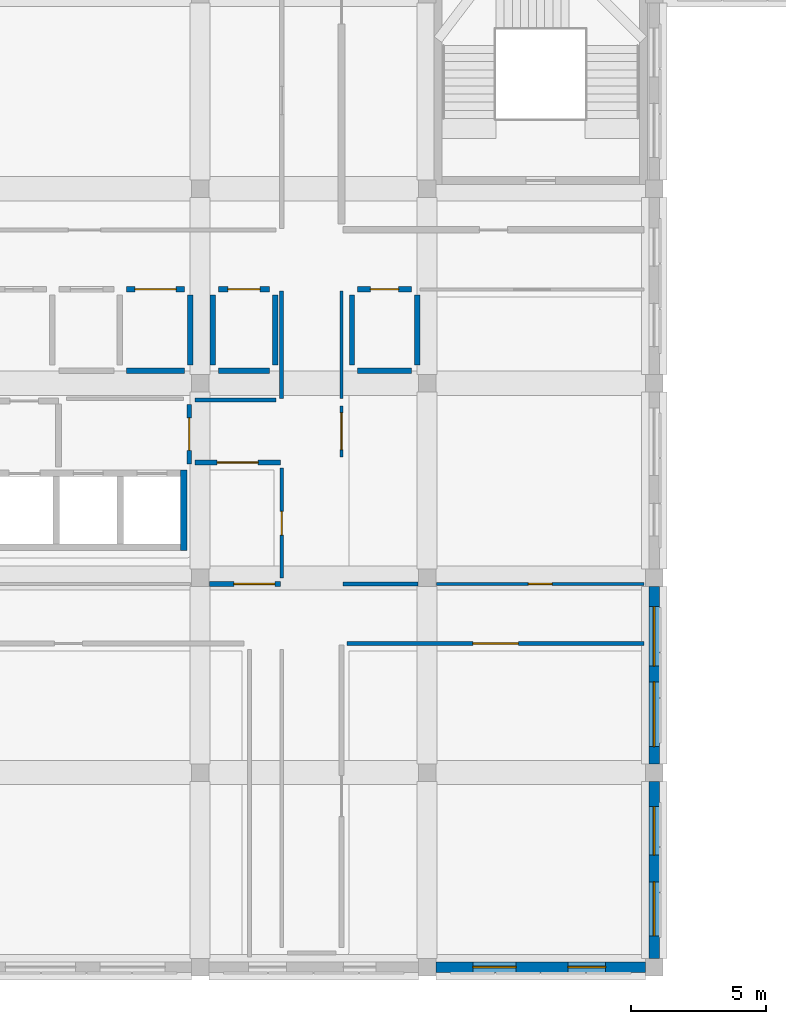
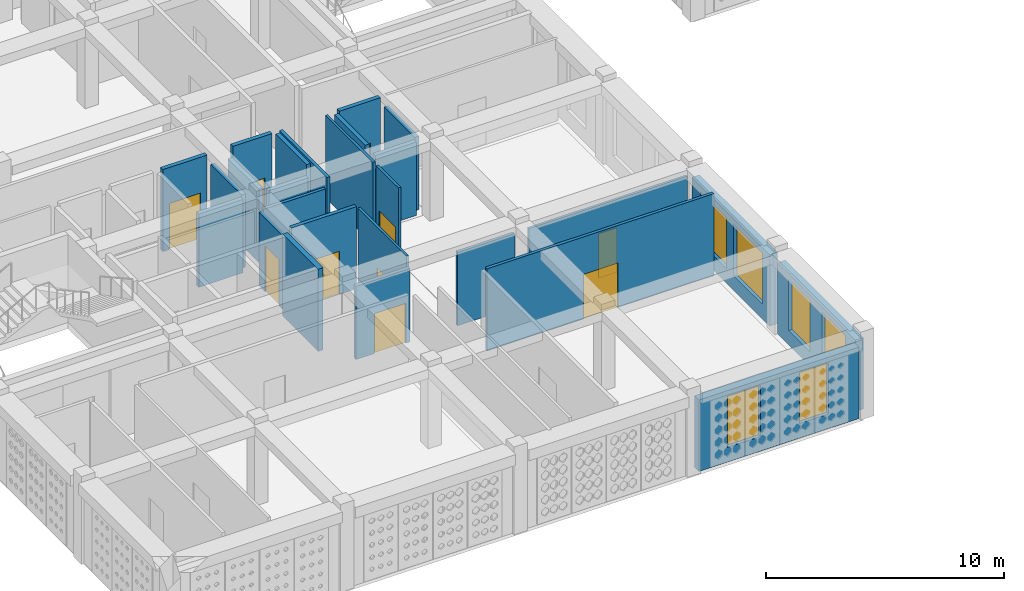
# One storey, part 6 of 47: 26 walls, 10 doors, 6 windows, 16 openings.
"""IFC4 building model written with IfcOpenShell, lengths in metres."""

from ifc_helpers import new_model, si_unit, derived_unit, direction, frame, frame_2d, origin, place, context, subcontext, project, spatial, rectangle, extrude, material, layer, layer_set, type_object, element, fill, save


model = new_model("IFC4")

# Units and contexts
model_context = context("Model", 3, precision=1e-05, world=origin(), true_north=direction((0.0, 1.0)))
body_context = subcontext(model_context, "Body", "Model", "MODEL_VIEW")
ifc_project = project(units=[si_unit("LENGTHUNIT", "METRE"), si_unit("AREAUNIT", "SQUARE_METRE"), si_unit("VOLUMEUNIT", "CUBIC_METRE"), si_unit("PLANEANGLEUNIT", "RADIAN"), si_unit("MASSUNIT", "GRAM", prefix="KILO"), derived_unit("THERMALTRANSMITTANCEUNIT", [(si_unit("POWERUNIT", "WATT"), 1), (si_unit("LENGTHUNIT", "METRE"), -2), (si_unit("THERMODYNAMICTEMPERATUREUNIT", "KELVIN"), -1)])], contexts=[model_context])

# Site, building, storey
site_placement = place(None, origin())
site = spatial("IfcSite", under=ifc_project, at=site_placement, CompositionType="ELEMENT")
building_placement = place(site_placement, origin())
building = spatial("IfcBuilding", under=site, at=building_placement, Name="Veybourne Emporium", CompositionType="ELEMENT")
storey_placement = place(building_placement, frame((0.0, 0.0, 23.39990234375)))
storey = spatial("IfcBuildingStorey", under=building, at=storey_placement, Name="L05", CompositionType="ELEMENT", Elevation=23.39990234375)

# Wall, openings, windows
ifc_material_1 = material(Name="Portland Limestone Ashlar", Category="masonry")
ifc_layer_1 = layer(ifc_material_1, 0.3798828125)
ifc_layer_set_1 = layer_set([ifc_layer_1], Name="Portland Limestone Ashlar")
wall_type_1 = type_object("IfcWallType", Name="ExtWall_EW-03", PredefinedType="SOLIDWALL", material=ifc_layer_set_1)
wall_1_placement = place(storey_placement, frame((50.074951171875, 0.0, 0.0), z_axis=(0.0, 0.0, 1.0), x_axis=(-1.0, 0.0, 0.0)))
wall_1 = element("IfcWall", 1, at=wall_1_placement, inside=storey, type_object=wall_type_1, Name="L05 Portland stone external wall 026", PredefinedType="SOLIDWALL", context=body_context, shape_type="SweptSolid", body=[
    extrude(rectangle(XDim=7.75, YDim=0.3798828125, at=frame_2d((3.875, 0.0))), origin(), (0.0, 0.0, 1.0), 3.66015625),
])
opening_1_placement = place(wall_1_placement, frame((1.469970703125, 0.0, 0.75)))
opening_1 = element("IfcOpeningElement", 2, at=opening_1_placement, cuts=wall_1, Name="Opening W-34", PredefinedType="OPENING", context=body_context, shape_type="SweptSolid", body=[
    extrude(rectangle(XDim=1.39990234375, YDim=2.6201171875, at=frame_2d((0.699951171875, 1.31005859375))), frame((0.0, 0.2099609375, 0.0), z_axis=(0.0, -1.0, 0.0), x_axis=(1.0, 0.0, 0.0)), (0.0, 0.0, 1.0), 0.419921875),
])
opening_2_placement = place(wall_1_placement, frame((4.780029296875, 0.0, 0.75)))
opening_2 = element("IfcOpeningElement", 3, at=opening_2_placement, cuts=wall_1, Name="Opening W-35", PredefinedType="OPENING", context=body_context, shape_type="SweptSolid", body=[
    extrude(rectangle(XDim=1.60009765625, YDim=2.6201171875, at=frame_2d((0.800048828125, 1.31005859375))), frame((0.0, 0.2099609375, 0.0), z_axis=(0.0, -1.0, 0.0), x_axis=(1.0, 0.0, 0.0)), (0.0, 0.0, 1.0), 0.419921875),
])
ifc_material_2 = material(Name="Low-E Triple Glazing", Category="glass")
window_type_1 = type_object("IfcWindowType", Name="Win_W-34", PartitioningType="DOUBLE_PANEL_VERTICAL", PredefinedType="WINDOW", material=ifc_material_2)
window_1_placement = place(opening_1_placement, origin())
window_1 = element("IfcWindow", 4, at=window_1_placement, inside=storey, type_object=window_type_1, Name="L05 tripartite bronze casement window W-34 (26.1)", OverallHeight=2.6201171875, OverallWidth=1.39990234375, PartitioningType="DOUBLE_PANEL_VERTICAL", PredefinedType="WINDOW", context=body_context, shape_type="SweptSolid", body=[
    extrude(rectangle(XDim=1.39990234375, YDim=2.6201171875, at=frame_2d((0.699951171875, 1.31005859375))), frame((0.0, 0.030029296875, 0.0), z_axis=(0.0, -1.0, 0.0), x_axis=(1.0, 0.0, 0.0)), (0.0, 0.0, 1.0), 0.06005859375),
])
fill(opening_1, window_1)
window_type_2 = type_object("IfcWindowType", Name="Win_W-35", PartitioningType="DOUBLE_PANEL_VERTICAL", PredefinedType="WINDOW", material=ifc_material_2)
window_2_placement = place(opening_2_placement, origin())
window_2 = element("IfcWindow", 5, at=window_2_placement, inside=storey, type_object=window_type_2, Name="L05 tripartite bronze casement window W-35 (26.2)", OverallHeight=2.6201171875, OverallWidth=1.60009765625, PartitioningType="DOUBLE_PANEL_VERTICAL", PredefinedType="WINDOW", context=body_context, shape_type="SweptSolid", body=[
    extrude(rectangle(XDim=1.60009765625, YDim=2.6201171875, at=frame_2d((0.800048828125, 1.31005859375))), frame((0.0, 0.030029296875, 0.0), z_axis=(0.0, -1.0, 0.0), x_axis=(1.0, 0.0, 0.0)), (0.0, 0.0, 1.0), 0.06005859375),
])
fill(opening_2, window_2)

wall_2_placement = place(storey_placement, frame((50.39990234375, 6.875, 0.0), z_axis=(0.0, 0.0, 1.0), x_axis=(0.0, -1.0, 0.0)))
wall_2 = element("IfcWall", 6, at=wall_2_placement, inside=storey, type_object=wall_type_1, Name="L05 Portland stone external wall 027", PredefinedType="SOLIDWALL", context=body_context, shape_type="SweptSolid", body=[
    extrude(rectangle(XDim=6.550048828125, YDim=0.3798828125, at=frame_2d((3.27490234375, 0.0))), origin(), (0.0, 0.0, 1.0), 3.66015625),
])
opening_3_placement = place(wall_2_placement, frame((0.93408203125, 0.0, 0.75)))
opening_3 = element("IfcOpeningElement", 7, at=opening_3_placement, cuts=wall_2, Name="Opening W-36", PredefinedType="OPENING", context=body_context, shape_type="SweptSolid", body=[
    extrude(rectangle(XDim=1.800048828125, YDim=2.6201171875, at=frame_2d((0.89990234375, 1.31005859375))), frame((0.0, 0.2099609375, 0.0), z_axis=(0.0, -1.0, 0.0), x_axis=(1.0, 0.0, 0.0)), (0.0, 0.0, 1.0), 0.419921875),
])
opening_4_placement = place(wall_2_placement, frame((3.716064453125, 0.0, 0.75)))
opening_4 = element("IfcOpeningElement", 8, at=opening_4_placement, cuts=wall_2, Name="Opening W-37", PredefinedType="OPENING", context=body_context, shape_type="SweptSolid", body=[
    extrude(rectangle(XDim=2.0, YDim=2.6201171875, at=frame_2d((1.0, 1.31005859375))), frame((0.0, 0.2099609375, 0.0), z_axis=(0.0, -1.0, 0.0), x_axis=(1.0, 0.0, 0.0)), (0.0, 0.0, 1.0), 0.419921875),
])
window_type_3 = type_object("IfcWindowType", Name="Win_W-36", PartitioningType="DOUBLE_PANEL_VERTICAL", PredefinedType="WINDOW", material=ifc_material_2)
window_3_placement = place(opening_3_placement, origin())
window_3 = element("IfcWindow", 9, at=window_3_placement, inside=storey, type_object=window_type_3, Name="L05 tripartite bronze casement window W-36 (27.1)", OverallHeight=2.6201171875, OverallWidth=1.800048828125, PartitioningType="DOUBLE_PANEL_VERTICAL", PredefinedType="WINDOW", context=body_context, shape_type="SweptSolid", body=[
    extrude(rectangle(XDim=1.800048828125, YDim=2.6201171875, at=frame_2d((0.89990234375, 1.31005859375))), frame((0.0, 0.030029296875, 0.0), z_axis=(0.0, -1.0, 0.0), x_axis=(1.0, 0.0, 0.0)), (0.0, 0.0, 1.0), 0.06005859375),
])
fill(opening_3, window_3)
window_type_4 = type_object("IfcWindowType", Name="Win_W-37", PartitioningType="TRIPLE_PANEL_VERTICAL", PredefinedType="WINDOW", material=ifc_material_2)
window_4_placement = place(opening_4_placement, origin())
window_4 = element("IfcWindow", 10, at=window_4_placement, inside=storey, type_object=window_type_4, Name="L05 tripartite bronze casement window W-37 (27.2)", OverallHeight=2.6201171875, OverallWidth=2.0, PartitioningType="TRIPLE_PANEL_VERTICAL", PredefinedType="WINDOW", context=body_context, shape_type="SweptSolid", body=[
    extrude(rectangle(XDim=2.0, YDim=2.6201171875, at=frame_2d((1.0, 1.31005859375))), frame((0.0, 0.030029296875, 0.0), z_axis=(0.0, -1.0, 0.0), x_axis=(1.0, 0.0, 0.0)), (0.0, 0.0, 1.0), 0.06005859375),
])
fill(opening_4, window_4)

wall_3_placement = place(storey_placement, frame((50.39990234375, 14.074951171875, 0.0), z_axis=(0.0, 0.0, 1.0), x_axis=(0.0, -1.0, 0.0)))
wall_3 = element("IfcWall", 11, at=wall_3_placement, inside=storey, type_object=wall_type_1, Name="L05 Portland stone external wall 028", PredefinedType="SOLIDWALL", context=body_context, shape_type="SweptSolid", body=[
    extrude(rectangle(XDim=6.550048828125, YDim=0.3798828125, at=frame_2d((3.27490234375, 0.0))), origin(), (0.0, 0.0, 1.0), 3.66015625),
])
opening_5_placement = place(wall_3_placement, frame((0.73388671875, 0.0, 0.75)))
opening_5 = element("IfcOpeningElement", 12, at=opening_5_placement, cuts=wall_3, Name="Opening W-38", PredefinedType="OPENING", context=body_context, shape_type="SweptSolid", body=[
    extrude(rectangle(XDim=2.199951171875, YDim=2.6201171875, at=frame_2d((1.10009765625, 1.31005859375))), frame((0.0, 0.2099609375, 0.0), z_axis=(0.0, -1.0, 0.0), x_axis=(1.0, 0.0, 0.0)), (0.0, 0.0, 1.0), 0.419921875),
])
opening_6_placement = place(wall_3_placement, frame((3.51611328125, 0.0, 0.75)))
opening_6 = element("IfcOpeningElement", 13, at=opening_6_placement, cuts=wall_3, Name="Opening W-39", PredefinedType="OPENING", context=body_context, shape_type="SweptSolid", body=[
    extrude(rectangle(XDim=2.39990234375, YDim=2.6201171875, at=frame_2d((1.199951171875, 1.31005859375))), frame((0.0, 0.2099609375, 0.0), z_axis=(0.0, -1.0, 0.0), x_axis=(1.0, 0.0, 0.0)), (0.0, 0.0, 1.0), 0.419921875),
])
window_type_5 = type_object("IfcWindowType", Name="Win_W-38", PartitioningType="TRIPLE_PANEL_VERTICAL", PredefinedType="WINDOW", material=ifc_material_2)
window_5_placement = place(opening_5_placement, origin())
window_5 = element("IfcWindow", 14, at=window_5_placement, inside=storey, type_object=window_type_5, Name="L05 tripartite bronze casement window W-38 (28.1)", OverallHeight=2.6201171875, OverallWidth=2.199951171875, PartitioningType="TRIPLE_PANEL_VERTICAL", PredefinedType="WINDOW", context=body_context, shape_type="SweptSolid", body=[
    extrude(rectangle(XDim=2.199951171875, YDim=2.6201171875, at=frame_2d((1.10009765625, 1.31005859375))), frame((0.0, 0.030029296875, 0.0), z_axis=(0.0, -1.0, 0.0), x_axis=(1.0, 0.0, 0.0)), (0.0, 0.0, 1.0), 0.06005859375),
])
fill(opening_5, window_5)
window_type_6 = type_object("IfcWindowType", Name="Win_W-39", PartitioningType="TRIPLE_PANEL_VERTICAL", PredefinedType="WINDOW", material=ifc_material_2)
window_6_placement = place(opening_6_placement, origin())
window_6 = element("IfcWindow", 15, at=window_6_placement, inside=storey, type_object=window_type_6, Name="L05 tripartite bronze casement window W-39 (28.2)", OverallHeight=2.6201171875, OverallWidth=2.39990234375, PartitioningType="TRIPLE_PANEL_VERTICAL", PredefinedType="WINDOW", context=body_context, shape_type="SweptSolid", body=[
    extrude(rectangle(XDim=2.39990234375, YDim=2.6201171875, at=frame_2d((1.199951171875, 1.31005859375))), frame((0.0, 0.030029296875, 0.0), z_axis=(0.0, -1.0, 0.0), x_axis=(1.0, 0.0, 0.0)), (0.0, 0.0, 1.0), 0.06005859375),
])
fill(opening_6, window_6)

# Wall
ifc_material_3 = material(Name="Concrete C40/50", Category="concrete")
ifc_layer_2 = layer(ifc_material_3, 0.239990234375)
ifc_layer_set_2 = layer_set([ifc_layer_2], Name="Concrete C40/50")
wall_type_2 = type_object("IfcWallType", Name="IntWall_CW-04", PredefinedType="SHEAR", material=ifc_layer_set_2)
wall_4_placement = place(storey_placement, frame((33.0, 15.409912109375, 0.0), z_axis=(0.0, 0.0, 1.0), x_axis=(0.0, 1.0, 0.0)))
element("IfcWall", 16, at=wall_4_placement, inside=storey, type_object=wall_type_2, Name="Lift core C1 east shaft wall (L05)", PredefinedType="SHEAR", context=body_context, shape_type="SweptSolid", body=[
    extrude(rectangle(XDim=2.97998046875, YDim=0.239990234375, at=frame_2d((1.489990234375, 0.0))), origin(), (0.0, 0.0, 1.0), 4.210205078125),
])

# Wall, opening, door
ifc_material_4 = material(Name="Gypsum Acoustic Board", Category="gypsum")
ifc_layer_3 = layer(ifc_material_4, 0.179931640625)
ifc_layer_set_3 = layer_set([ifc_layer_3], Name="Gypsum Acoustic Board")
wall_type_3 = type_object("IfcWallType", Name="IntWall_IW-01", PredefinedType="PARTITIONING", material=ifc_layer_set_3)
wall_5_placement = place(storey_placement, frame((33.945068359375, 14.179931640625, 0.0), z_axis=(0.0, 0.0, 1.0), x_axis=(1.0, 0.0, 0.0)))
wall_5 = element("IfcWall", 17, at=wall_5_placement, inside=storey, type_object=wall_type_3, Name="L05 interior partition IW-01 #015", PredefinedType="PARTITIONING", context=body_context, shape_type="SweptSolid", body=[
    extrude(rectangle(XDim=2.625, YDim=0.179931640625, at=frame_2d((1.3125, 0.0))), origin(), (0.0, 0.0, 1.0), 3.760009765625),
])
opening_7_placement = place(wall_5_placement, frame((0.906005859375, 0.0, 0.0)))
opening_7 = element("IfcOpeningElement", 18, at=opening_7_placement, cuts=wall_5, Name="Opening D-05", PredefinedType="OPENING", context=body_context, shape_type="SweptSolid", body=[
    extrude(rectangle(XDim=1.52001953125, YDim=2.050048828125, at=frame_2d((0.760009765625, 1.02490234375))), frame((0.0, 0.10986328125, 0.0), z_axis=(0.0, -1.0, 0.0), x_axis=(1.0, 0.0, 0.0)), (0.0, 0.0, 1.0), 0.219970703125),
])
ifc_material_5 = material(Name="European Oak Veneer and Bronze", Category="wood")
door_type_1 = type_object("IfcDoorType", Name="IntDoor_D-05", OperationType="NOTDEFINED", PredefinedType="DOOR", material=ifc_material_5)
door_1_placement = place(opening_7_placement, origin())
door_1 = element("IfcDoor", 19, at=door_1_placement, inside=storey, type_object=door_type_1, Name="L05 interior door D-05 (PART-L05-015)", OperationType="SINGLE_SWING_LEFT", OverallHeight=2.050048828125, OverallWidth=1.52001953125, PredefinedType="DOOR", context=body_context, shape_type="SweptSolid", body=[
    extrude(rectangle(XDim=1.52001953125, YDim=2.050048828125, at=frame_2d((0.760009765625, 1.02490234375))), frame((0.0, 0.02490234375, 0.0), z_axis=(0.0, -1.0, 0.0), x_axis=(1.0, 0.0, 0.0)), (0.0, 0.0, 1.0), 0.050048828125),
])
fill(opening_7, door_1)

wall_6_placement = place(storey_placement, frame((33.409912109375, 18.669921875, 0.0), z_axis=(0.0, 0.0, 1.0), x_axis=(1.0, 0.0, 0.0)))
wall_6 = element("IfcWall", 20, at=wall_6_placement, inside=storey, type_object=wall_type_3, Name="L05 interior partition IW-01 #063", PredefinedType="PARTITIONING", context=body_context, shape_type="SweptSolid", body=[
    extrude(rectangle(XDim=3.16015625, YDim=0.179931640625, at=frame_2d((1.580078125, 0.0))), origin(), (0.0, 0.0, 1.0), 4.210205078125),
])
opening_8_placement = place(wall_6_placement, frame((0.820068359375, 0.0, 0.0)))
opening_8 = element("IfcOpeningElement", 21, at=opening_8_placement, cuts=wall_6, Name="Opening D-17", PredefinedType="OPENING", context=body_context, shape_type="SweptSolid", body=[
    extrude(rectangle(XDim=1.52001953125, YDim=2.2099609375, at=frame_2d((0.760009765625, 1.10498046875))), frame((0.0, 0.10986328125, 0.0), z_axis=(0.0, -1.0, 0.0), x_axis=(1.0, 0.0, 0.0)), (0.0, 0.0, 1.0), 0.219970703125),
])
door_type_2 = type_object("IfcDoorType", Name="IntDoor_D-17", OperationType="NOTDEFINED", PredefinedType="DOOR", material=ifc_material_5)
door_2_placement = place(opening_8_placement, origin())
door_2 = element("IfcDoor", 22, at=door_2_placement, inside=storey, type_object=door_type_2, Name="L05 interior door D-17 (PART-L05-063)", OperationType="SINGLE_SWING_LEFT", OverallHeight=2.2099609375, OverallWidth=1.52001953125, PredefinedType="DOOR", context=body_context, shape_type="SweptSolid", body=[
    extrude(rectangle(XDim=1.52001953125, YDim=2.2099609375, at=frame_2d((0.760009765625, 1.10498046875))), frame((0.0, 0.02490234375, 0.0), z_axis=(0.0, -1.0, 0.0), x_axis=(1.0, 0.0, 0.0)), (0.0, 0.0, 1.0), 0.050048828125),
])
fill(opening_8, door_2)

# Wall
ifc_layer_4 = layer(ifc_material_4, 0.14990234375)
ifc_layer_set_4 = layer_set([ifc_layer_4], Name="Gypsum Acoustic Board")
wall_type_4 = type_object("IfcWallType", Name="IntWall_IW-02", PredefinedType="PARTITIONING", material=ifc_layer_set_4)
wall_7_placement = place(storey_placement, frame((38.8798828125, 14.179931640625, 0.0), z_axis=(0.0, 0.0, 1.0), x_axis=(1.0, 0.0, 0.0)))
element("IfcWall", 23, at=wall_7_placement, inside=storey, type_object=wall_type_4, Name="L05 interior partition IW-02 #028", PredefinedType="PARTITIONING", context=body_context, shape_type="SweptSolid", body=[
    extrude(rectangle(XDim=2.775146484375, YDim=0.14990234375, at=frame_2d((1.3876953125, 0.0))), origin(), (0.0, 0.0, 1.0), 3.760009765625),
])

# Wall, opening, door
wall_8_placement = place(storey_placement, frame((39.0400390625, 11.969970703125, 0.0), z_axis=(0.0, 0.0, 1.0), x_axis=(1.0, 0.0, 0.0)))
wall_8 = element("IfcWall", 24, at=wall_8_placement, inside=storey, type_object=wall_type_4, Name="L05 interior partition IW-02 #034", PredefinedType="PARTITIONING", context=body_context, shape_type="SweptSolid", body=[
    extrude(rectangle(XDim=10.989990234375, YDim=0.14990234375, at=frame_2d((5.4951171875, 0.0))), origin(), (0.0, 0.0, 1.0), 4.210205078125),
])
opening_9_placement = place(wall_8_placement, frame((4.655029296875, 0.0, 0.0)))
opening_9 = element("IfcOpeningElement", 25, at=opening_9_placement, cuts=wall_8, Name="Opening D-24", PredefinedType="OPENING", context=body_context, shape_type="SweptSolid", body=[
    extrude(rectangle(XDim=1.679931640625, YDim=2.2900390625, at=frame_2d((0.83984375, 1.14501953125))), frame((0.0, 0.094970703125, 0.0), z_axis=(0.0, -1.0, 0.0), x_axis=(1.0, 0.0, 0.0)), (0.0, 0.0, 1.0), 0.18994140625),
])
door_type_3 = type_object("IfcDoorType", Name="IntDoor_D-24", OperationType="DOUBLE_DOOR_SINGLE_SWING", PredefinedType="DOOR", material=ifc_material_5)
door_3_placement = place(opening_9_placement, origin())
door_3 = element("IfcDoor", 26, at=door_3_placement, inside=storey, type_object=door_type_3, Name="L05 interior door D-24 (PART-L05-034)", OperationType="DOUBLE_DOOR_SINGLE_SWING", OverallHeight=2.2900390625, OverallWidth=1.679931640625, PredefinedType="DOOR", context=body_context, shape_type="SweptSolid", body=[
    extrude(rectangle(XDim=1.679931640625, YDim=2.2900390625, at=frame_2d((0.83984375, 1.14501953125))), frame((0.0, 0.02490234375, 0.0), z_axis=(0.0, -1.0, 0.0), x_axis=(1.0, 0.0, 0.0)), (0.0, 0.0, 1.0), 0.050048828125),
])
fill(opening_9, door_3)

# Walls
wall_9_placement = place(storey_placement, frame((36.6201171875, 21.030029296875, 0.0), z_axis=(0.0, 0.0, 1.0), x_axis=(0.0, 1.0, 0.0)))
element("IfcWall", 27, at=wall_9_placement, inside=storey, type_object=wall_type_4, Name="L05 interior partition IW-02 #055", PredefinedType="PARTITIONING", context=body_context, shape_type="SweptSolid", body=[
    extrude(rectangle(XDim=3.989990234375, YDim=0.14990234375, at=frame_2d((1.9951171875, 0.0))), origin(), (0.0, 0.0, 1.0), 4.210205078125),
])
wall_10_placement = place(storey_placement, frame((33.409912109375, 20.97998046875, 0.0), z_axis=(0.0, 0.0, 1.0), x_axis=(1.0, 0.0, 0.0)))
element("IfcWall", 28, at=wall_10_placement, inside=storey, type_object=wall_type_4, Name="L05 interior partition IW-02 #064", PredefinedType="PARTITIONING", context=body_context, shape_type="SweptSolid", body=[
    extrude(rectangle(XDim=3.0, YDim=0.14990234375, at=frame_2d((1.5, 0.0))), origin(), (0.0, 0.0, 1.0), 3.760009765625),
])

# Wall, opening, door
wall_11_placement = place(storey_placement, frame((33.199951171875, 18.6201171875, 0.0), z_axis=(0.0, 0.0, 1.0), x_axis=(0.0, 1.0, 0.0)))
wall_11 = element("IfcWall", 29, at=wall_11_placement, inside=storey, type_object=wall_type_4, Name="L05 interior partition IW-02 #073", PredefinedType="PARTITIONING", context=body_context, shape_type="SweptSolid", body=[
    extrude(rectangle(XDim=2.199951171875, YDim=0.14990234375, at=frame_2d((1.10009765625, 0.0))), origin(), (0.0, 0.0, 1.0), 3.760009765625),
])
opening_10_placement = place(wall_11_placement, frame((0.5, 0.0, 0.0)))
opening_10 = element("IfcOpeningElement", 30, at=opening_10_placement, cuts=wall_11, Name="Opening D-27", PredefinedType="OPENING", context=body_context, shape_type="SweptSolid", body=[
    extrude(rectangle(XDim=1.199951171875, YDim=2.3701171875, at=frame_2d((0.60009765625, 1.18505859375))), frame((0.0, 0.094970703125, 0.0), z_axis=(0.0, -1.0, 0.0), x_axis=(1.0, 0.0, 0.0)), (0.0, 0.0, 1.0), 0.18994140625),
])
door_type_4 = type_object("IfcDoorType", Name="IntDoor_D-27", OperationType="NOTDEFINED", PredefinedType="DOOR", material=ifc_material_5)
door_4_placement = place(opening_10_placement, origin())
door_4 = element("IfcDoor", 31, at=door_4_placement, inside=storey, type_object=door_type_4, Name="L05 interior door D-27 (PART-L05-073)", OperationType="SINGLE_SWING_LEFT", OverallHeight=2.3701171875, OverallWidth=1.199951171875, PredefinedType="DOOR", context=body_context, shape_type="SweptSolid", body=[
    extrude(rectangle(XDim=1.199951171875, YDim=2.3701171875, at=frame_2d((0.60009765625, 1.18505859375))), frame((0.0, 0.02490234375, 0.0), z_axis=(0.0, -1.0, 0.0), x_axis=(1.0, 0.0, 0.0)), (0.0, 0.0, 1.0), 0.050048828125),
])
fill(opening_10, door_4)

ifc_layer_5 = layer(ifc_material_4, 0.1201171875)
ifc_layer_set_5 = layer_set([ifc_layer_5], Name="Gypsum Acoustic Board")
wall_type_5 = type_object("IfcWallType", Name="IntWall_IW-03", PredefinedType="PARTITIONING", material=ifc_layer_set_5)
wall_12_placement = place(storey_placement, frame((42.344970703125, 14.179931640625, 0.0), z_axis=(0.0, 0.0, 1.0), x_axis=(1.0, 0.0, 0.0)))
wall_12 = element("IfcWall", 32, at=wall_12_placement, inside=storey, type_object=wall_type_5, Name="L05 interior partition IW-03 #029", PredefinedType="PARTITIONING", context=body_context, shape_type="SweptSolid", body=[
    extrude(rectangle(XDim=7.68505859375, YDim=0.1201171875, at=frame_2d((3.842529296875, 0.0))), origin(), (0.0, 0.0, 1.0), 3.760009765625),
])
opening_11_placement = place(wall_12_placement, frame((3.402587890625, 0.0, 0.0)))
opening_11 = element("IfcOpeningElement", 33, at=opening_11_placement, cuts=wall_12, Name="Opening D-19", PredefinedType="OPENING", context=body_context, shape_type="SweptSolid", body=[
    extrude(rectangle(XDim=0.8798828125, YDim=2.2900390625, at=frame_2d((0.43994140625, 1.14501953125))), frame((0.0, 0.080078125, 0.0), z_axis=(0.0, -1.0, 0.0), x_axis=(1.0, 0.0, 0.0)), (0.0, 0.0, 1.0), 0.16015625),
])
door_type_5 = type_object("IfcDoorType", Name="IntDoor_D-19", OperationType="NOTDEFINED", PredefinedType="DOOR", material=ifc_material_5)
door_5_placement = place(opening_11_placement, origin())
door_5 = element("IfcDoor", 34, at=door_5_placement, inside=storey, type_object=door_type_5, Name="L05 interior door D-19 (PART-L05-029)", OperationType="SINGLE_SWING_RIGHT", OverallHeight=2.2900390625, OverallWidth=0.8798828125, PredefinedType="DOOR", context=body_context, shape_type="SweptSolid", body=[
    extrude(rectangle(XDim=0.8798828125, YDim=2.2900390625, at=frame_2d((0.43994140625, 1.14501953125))), frame((0.0, 0.02490234375, 0.0), z_axis=(0.0, -1.0, 0.0), x_axis=(1.0, 0.0, 0.0)), (0.0, 0.0, 1.0), 0.050048828125),
])
fill(opening_11, door_5)

wall_13_placement = place(storey_placement, frame((36.6201171875, 14.389892578125, 0.0), z_axis=(0.0, 0.0, 1.0), x_axis=(0.0, 1.0, 0.0)))
wall_13 = element("IfcWall", 35, at=wall_13_placement, inside=storey, type_object=wall_type_5, Name="L05 interior partition IW-03 #053", PredefinedType="PARTITIONING", context=body_context, shape_type="SweptSolid", body=[
    extrude(rectangle(XDim=4.070068359375, YDim=0.1201171875, at=frame_2d((2.03515625, 0.0))), origin(), (0.0, 0.0, 1.0), 4.210205078125),
])
opening_12_placement = place(wall_13_placement, frame((1.594970703125, 0.0, 0.0)))
opening_12 = element("IfcOpeningElement", 36, at=opening_12_placement, cuts=wall_13, Name="Opening D-07", PredefinedType="OPENING", context=body_context, shape_type="SweptSolid", body=[
    extrude(rectangle(XDim=0.8798828125, YDim=2.1298828125, at=frame_2d((0.43994140625, 1.06494140625))), frame((0.0, 0.080078125, 0.0), z_axis=(0.0, -1.0, 0.0), x_axis=(1.0, 0.0, 0.0)), (0.0, 0.0, 1.0), 0.16015625),
])
door_type_6 = type_object("IfcDoorType", Name="IntDoor_D-07", OperationType="NOTDEFINED", PredefinedType="DOOR", material=ifc_material_5)
door_6_placement = place(opening_12_placement, origin())
door_6 = element("IfcDoor", 37, at=door_6_placement, inside=storey, type_object=door_type_6, Name="L05 interior door D-07 (PART-L05-053)", OperationType="SINGLE_SWING_RIGHT", OverallHeight=2.1298828125, OverallWidth=0.8798828125, PredefinedType="DOOR", context=body_context, shape_type="SweptSolid", body=[
    extrude(rectangle(XDim=0.8798828125, YDim=2.1298828125, at=frame_2d((0.43994140625, 1.06494140625))), frame((0.0, 0.02490234375, 0.0), z_axis=(0.0, -1.0, 0.0), x_axis=(1.0, 0.0, 0.0)), (0.0, 0.0, 1.0), 0.050048828125),
])
fill(opening_12, door_6)

# Wall
wall_14_placement = place(storey_placement, frame((38.830078125, 21.030029296875, 0.0), z_axis=(0.0, 0.0, 1.0), x_axis=(0.0, 1.0, 0.0)))
element("IfcWall", 38, at=wall_14_placement, inside=storey, type_object=wall_type_5, Name="L05 interior partition IW-03 #056", PredefinedType="PARTITIONING", context=body_context, shape_type="SweptSolid", body=[
    extrude(rectangle(XDim=3.989990234375, YDim=0.1201171875, at=frame_2d((1.9951171875, 0.0))), origin(), (0.0, 0.0, 1.0), 4.210205078125),
])

# Wall, opening, door
wall_15_placement = place(storey_placement, frame((38.830078125, 18.8798828125, 0.0), z_axis=(0.0, 0.0, 1.0), x_axis=(0.0, 1.0, 0.0)))
wall_15 = element("IfcWall", 39, at=wall_15_placement, inside=storey, type_object=wall_type_5, Name="L05 interior partition IW-03 #086", PredefinedType="PARTITIONING", context=body_context, shape_type="SweptSolid", body=[
    extrude(rectangle(XDim=1.89013671875, YDim=0.1201171875, at=frame_2d((0.945068359375, 0.0))), origin(), (0.0, 0.0, 1.0), 4.210205078125),
])
opening_13_placement = place(wall_15_placement, frame((0.264892578125, 0.0, 0.0)))
opening_13 = element("IfcOpeningElement", 40, at=opening_13_placement, cuts=wall_15, Name="Opening D-04", PredefinedType="OPENING", context=body_context, shape_type="SweptSolid", body=[
    extrude(rectangle(XDim=1.360107421875, YDim=2.050048828125, at=frame_2d((0.68017578125, 1.02490234375))), frame((0.0, 0.080078125, 0.0), z_axis=(0.0, -1.0, 0.0), x_axis=(1.0, 0.0, 0.0)), (0.0, 0.0, 1.0), 0.16015625),
])
door_type_7 = type_object("IfcDoorType", Name="IntDoor_D-04", OperationType="NOTDEFINED", PredefinedType="DOOR", material=ifc_material_5)
door_7_placement = place(opening_13_placement, origin())
door_7 = element("IfcDoor", 41, at=door_7_placement, inside=storey, type_object=door_type_7, Name="L05 interior door D-04 (PART-L05-086)", OperationType="SINGLE_SWING_LEFT", OverallHeight=2.050048828125, OverallWidth=1.360107421875, PredefinedType="DOOR", context=body_context, shape_type="SweptSolid", body=[
    extrude(rectangle(XDim=1.360107421875, YDim=2.050048828125, at=frame_2d((0.68017578125, 1.02490234375))), frame((0.0, 0.02490234375, 0.0), z_axis=(0.0, -1.0, 0.0), x_axis=(1.0, 0.0, 0.0)), (0.0, 0.0, 1.0), 0.050048828125),
])
fill(opening_13, door_7)

ifc_layer_6 = layer(ifc_material_4, 0.199951171875)
ifc_layer_set_6 = layer_set([ifc_layer_6], Name="Gypsum Acoustic Board")
wall_type_6 = type_object("IfcWallType", Name="IntWall_IW-04", PredefinedType="PLUMBINGWALL", material=ifc_layer_set_6)
wall_16_placement = place(storey_placement, frame((30.8798828125, 25.080078125, 0.0), z_axis=(0.0, 0.0, 1.0), x_axis=(1.0, 0.0, 0.0)))
wall_16 = element("IfcWall", 42, at=wall_16_placement, inside=storey, type_object=wall_type_6, Name="L05 interior partition IW-04 #075", PredefinedType="PLUMBINGWALL", context=body_context, shape_type="SweptSolid", body=[
    extrude(rectangle(XDim=2.14013671875, YDim=0.199951171875, at=frame_2d((1.070068359375, 0.0))), origin(), (0.0, 0.0, 1.0), 4.210205078125),
])
opening_14_placement = place(wall_16_placement, frame((0.31005859375, 0.0, 0.0)))
opening_14 = element("IfcOpeningElement", 43, at=opening_14_placement, cuts=wall_16, Name="Opening D-29", PredefinedType="OPENING", context=body_context, shape_type="SweptSolid", body=[
    extrude(rectangle(XDim=1.52001953125, YDim=2.3701171875, at=frame_2d((0.760009765625, 1.18505859375))), frame((0.0, 0.1201171875, 0.0), z_axis=(0.0, -1.0, 0.0), x_axis=(1.0, 0.0, 0.0)), (0.0, 0.0, 1.0), 0.239990234375),
])
door_type_8 = type_object("IfcDoorType", Name="IntDoor_D-29", OperationType="NOTDEFINED", PredefinedType="DOOR", material=ifc_material_5)
door_8_placement = place(opening_14_placement, origin())
door_8 = element("IfcDoor", 44, at=door_8_placement, inside=storey, type_object=door_type_8, Name="L05 interior door D-29 (PART-L05-075)", OperationType="SINGLE_SWING_RIGHT", OverallHeight=2.3701171875, OverallWidth=1.52001953125, PredefinedType="DOOR", context=body_context, shape_type="SweptSolid", body=[
    extrude(rectangle(XDim=1.52001953125, YDim=2.3701171875, at=frame_2d((0.760009765625, 1.18505859375))), frame((0.0, 0.02490234375, 0.0), z_axis=(0.0, -1.0, 0.0), x_axis=(1.0, 0.0, 0.0)), (0.0, 0.0, 1.0), 0.050048828125),
])
fill(opening_14, door_8)

wall_17_placement = place(storey_placement, frame((39.429931640625, 25.080078125, 0.0), z_axis=(0.0, 0.0, 1.0), x_axis=(1.0, 0.0, 0.0)))
wall_17 = element("IfcWall", 45, at=wall_17_placement, inside=storey, type_object=wall_type_6, Name="L05 interior partition IW-04 #084", PredefinedType="PLUMBINGWALL", context=body_context, shape_type="SweptSolid", body=[
    extrude(rectangle(XDim=1.989990234375, YDim=0.199951171875, at=frame_2d((0.9951171875, 0.0))), origin(), (0.0, 0.0, 1.0), 4.210205078125),
])
opening_15_placement = place(wall_17_placement, frame((0.47509765625, 0.0, 0.0)))
opening_15 = element("IfcOpeningElement", 46, at=opening_15_placement, cuts=wall_17, Name="Opening D-02", PredefinedType="OPENING", context=body_context, shape_type="SweptSolid", body=[
    extrude(rectangle(XDim=1.0400390625, YDim=2.050048828125, at=frame_2d((0.52001953125, 1.02490234375))), frame((0.0, 0.1201171875, 0.0), z_axis=(0.0, -1.0, 0.0), x_axis=(1.0, 0.0, 0.0)), (0.0, 0.0, 1.0), 0.239990234375),
])
door_type_9 = type_object("IfcDoorType", Name="IntDoor_D-02", OperationType="NOTDEFINED", PredefinedType="DOOR", material=ifc_material_5)
door_9_placement = place(opening_15_placement, origin())
door_9 = element("IfcDoor", 47, at=door_9_placement, inside=storey, type_object=door_type_9, Name="L05 interior door D-02 (PART-L05-084)", OperationType="SINGLE_SWING_LEFT", OverallHeight=2.050048828125, OverallWidth=1.0400390625, PredefinedType="DOOR", context=body_context, shape_type="SweptSolid", body=[
    extrude(rectangle(XDim=1.0400390625, YDim=2.050048828125, at=frame_2d((0.52001953125, 1.02490234375))), frame((0.0, 0.02490234375, 0.0), z_axis=(0.0, -1.0, 0.0), x_axis=(1.0, 0.0, 0.0)), (0.0, 0.0, 1.0), 0.050048828125),
])
fill(opening_15, door_9)

wall_18_placement = place(storey_placement, frame((34.280029296875, 25.080078125, 0.0), z_axis=(0.0, 0.0, 1.0), x_axis=(1.0, 0.0, 0.0)))
wall_18 = element("IfcWall", 48, at=wall_18_placement, inside=storey, type_object=wall_type_6, Name="L05 interior partition IW-04 #085", PredefinedType="PLUMBINGWALL", context=body_context, shape_type="SweptSolid", body=[
    extrude(rectangle(XDim=1.889892578125, YDim=0.199951171875, at=frame_2d((0.94482421875, 0.0))), origin(), (0.0, 0.0, 1.0), 4.210205078125),
])
opening_16_placement = place(wall_18_placement, frame((0.344970703125, 0.0, 0.0)))
opening_16 = element("IfcOpeningElement", 49, at=opening_16_placement, cuts=wall_18, Name="Opening D-03", PredefinedType="OPENING", context=body_context, shape_type="SweptSolid", body=[
    extrude(rectangle(XDim=1.199951171875, YDim=2.050048828125, at=frame_2d((0.60009765625, 1.02490234375))), frame((0.0, 0.1201171875, 0.0), z_axis=(0.0, -1.0, 0.0), x_axis=(1.0, 0.0, 0.0)), (0.0, 0.0, 1.0), 0.239990234375),
])
door_type_10 = type_object("IfcDoorType", Name="IntDoor_D-03", OperationType="NOTDEFINED", PredefinedType="DOOR", material=ifc_material_5)
door_10_placement = place(opening_16_placement, origin())
door_10 = element("IfcDoor", 50, at=door_10_placement, inside=storey, type_object=door_type_10, Name="L05 interior door D-03 (PART-L05-085)", OperationType="SINGLE_SWING_RIGHT", OverallHeight=2.050048828125, OverallWidth=1.199951171875, PredefinedType="DOOR", context=body_context, shape_type="SweptSolid", body=[
    extrude(rectangle(XDim=1.199951171875, YDim=2.050048828125, at=frame_2d((0.60009765625, 1.02490234375))), frame((0.0, 0.02490234375, 0.0), z_axis=(0.0, -1.0, 0.0), x_axis=(1.0, 0.0, 0.0)), (0.0, 0.0, 1.0), 0.050048828125),
])
fill(opening_16, door_10)

# Walls
wall_19_placement = place(storey_placement, frame((33.22998046875, 22.280029296875, 0.0), z_axis=(0.0, 0.0, 1.0), x_axis=(0.0, 1.0, 0.0)))
element("IfcWall", 51, at=wall_19_placement, inside=storey, type_object=wall_type_6, Name="L05 interior partition IW-04 #114", PredefinedType="PLUMBINGWALL", context=body_context, shape_type="SweptSolid", body=[
    extrude(rectangle(XDim=2.590087890625, YDim=0.199951171875, at=frame_2d((1.294921875, 0.0))), origin(), (0.0, 0.0, 1.0), 3.760009765625),
])
wall_20_placement = place(storey_placement, frame((36.3798828125, 22.280029296875, 0.0), z_axis=(0.0, 0.0, 1.0), x_axis=(0.0, 1.0, 0.0)))
element("IfcWall", 52, at=wall_20_placement, inside=storey, type_object=wall_type_6, Name="L05 interior partition IW-04 #115", PredefinedType="PLUMBINGWALL", context=body_context, shape_type="SweptSolid", body=[
    extrude(rectangle(XDim=2.590087890625, YDim=0.199951171875, at=frame_2d((1.294921875, 0.0))), origin(), (0.0, 0.0, 1.0), 4.210205078125),
])
for number, where, z_axis, x_axis, name in (
    (53, (34.070068359375, 22.280029296875, 0.0), (0.0, 0.0, 1.0), (0.0, 1.0, 0.0), "L05 interior partition IW-04 #116"),
    (54, (41.6298828125, 22.280029296875, 0.0), (0.0, 0.0, 1.0), (0.0, 1.0, 0.0), "L05 interior partition IW-04 #117"),
):
    element("IfcWall", number, at=place(storey_placement, frame(where, z_axis=z_axis, x_axis=x_axis)), inside=storey, type_object=wall_type_6, Name=name, PredefinedType="PLUMBINGWALL", context=body_context, shape_type="SweptSolid", body=[
        extrude(rectangle(XDim=2.590087890625, YDim=0.199951171875, at=frame_2d((1.294921875, 0.0))), origin(), (0.0, 0.0, 1.0), 3.760009765625),
    ])
wall_21_placement = place(storey_placement, frame((39.219970703125, 22.280029296875, 0.0), z_axis=(0.0, 0.0, 1.0), x_axis=(0.0, 1.0, 0.0)))
element("IfcWall", 55, at=wall_21_placement, inside=storey, type_object=wall_type_6, Name="L05 interior partition IW-04 #118", PredefinedType="PLUMBINGWALL", context=body_context, shape_type="SweptSolid", body=[
    extrude(rectangle(XDim=2.590087890625, YDim=0.199951171875, at=frame_2d((1.294921875, 0.0))), origin(), (0.0, 0.0, 1.0), 4.210205078125),
])
wall_22_placement = place(storey_placement, frame((30.8798828125, 22.070068359375, 0.0), z_axis=(0.0, 0.0, 1.0), x_axis=(1.0, 0.0, 0.0)))
element("IfcWall", 56, at=wall_22_placement, inside=storey, type_object=wall_type_6, Name="L05 interior partition IW-04 #119", PredefinedType="PLUMBINGWALL", context=body_context, shape_type="SweptSolid", body=[
    extrude(rectangle(XDim=2.14013671875, YDim=0.199951171875, at=frame_2d((1.070068359375, 0.0))), origin(), (0.0, 0.0, 1.0), 3.760009765625),
])
wall_23_placement = place(storey_placement, frame((39.429931640625, 22.070068359375, 0.0), z_axis=(0.0, 0.0, 1.0), x_axis=(1.0, 0.0, 0.0)))
element("IfcWall", 57, at=wall_23_placement, inside=storey, type_object=wall_type_6, Name="L05 interior partition IW-04 #121", PredefinedType="PLUMBINGWALL", context=body_context, shape_type="SweptSolid", body=[
    extrude(rectangle(XDim=1.989990234375, YDim=0.199951171875, at=frame_2d((0.9951171875, 0.0))), origin(), (0.0, 0.0, 1.0), 3.760009765625),
])
wall_24_placement = place(storey_placement, frame((34.280029296875, 22.070068359375, 0.0), z_axis=(0.0, 0.0, 1.0), x_axis=(1.0, 0.0, 0.0)))
element("IfcWall", 58, at=wall_24_placement, inside=storey, type_object=wall_type_6, Name="L05 interior partition IW-04 #122", PredefinedType="PLUMBINGWALL", context=body_context, shape_type="SweptSolid", body=[
    extrude(rectangle(XDim=1.889892578125, YDim=0.199951171875, at=frame_2d((0.94482421875, 0.0))), origin(), (0.0, 0.0, 1.0), 3.760009765625),
])

save(model, "model.ifc")
